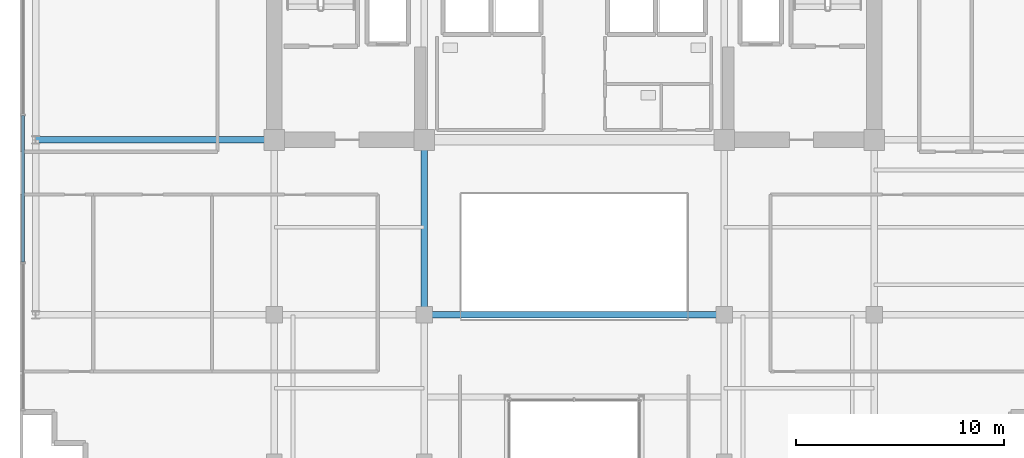
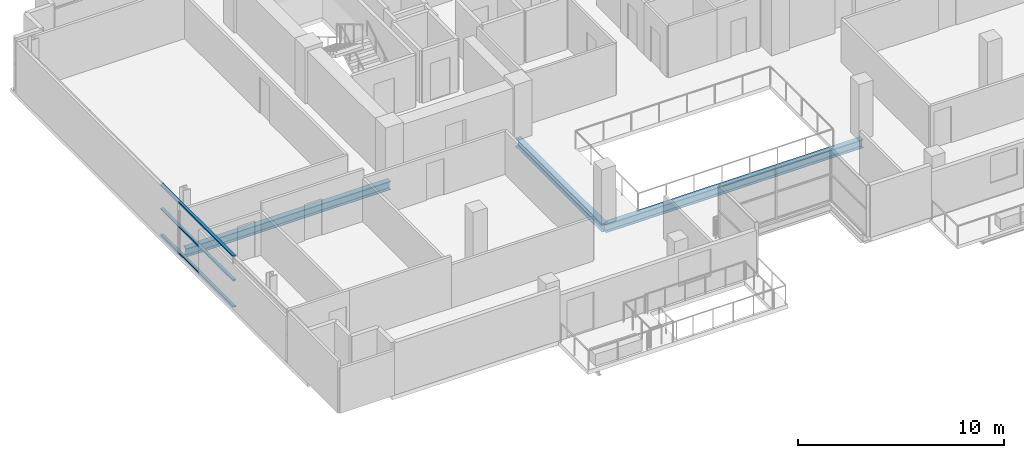
# One storey, part 8 of 23: 3 beams, 3 members, 1 element without a shape of its own.
"""IFC4 building model written with IfcOpenShell, lengths in metres."""

from ifc_helpers import new_model, si_unit, direction, frame, origin, origin_2d, place, context, subcontext, project, spatial, hollow_rectangle, i_section, extrude, source, transform, mapped, material, layer, layer_set, material_profile, profile_set, type_object, element, aggregate, save


model = new_model("IFC4")

# Units and contexts
model_context = context("Model", 3, precision=1e-05, world=origin(), true_north=direction((0.0, 1.0)))
body_context = subcontext(model_context, "Body", "Model", "MODEL_VIEW")
ifc_project = project(units=[si_unit("LENGTHUNIT", "METRE"), si_unit("AREAUNIT", "SQUARE_METRE"), si_unit("VOLUMEUNIT", "CUBIC_METRE"), si_unit("PLANEANGLEUNIT", "RADIAN"), si_unit("MASSUNIT", "GRAM", prefix="KILO")], contexts=[model_context])

# Site, building, storey
site_placement = place(None, origin())
site = spatial("IfcSite", under=ifc_project, at=site_placement, CompositionType="ELEMENT")
building_placement = place(site_placement, origin())
building = spatial("IfcBuilding", under=site, at=building_placement, Name="Zarnakvel Exchange Tower", CompositionType="ELEMENT")
storey_placement = place(building_placement, frame((0.0, 0.0, 149.5)))
storey = spatial("IfcBuildingStorey", under=building, at=storey_placement, Name="L41", CompositionType="ELEMENT", Elevation=149.5)

# Beams
ifc_material_1 = material(Name="Steel S355", Category="steel")
ifc_material_profile_1 = material_profile(ifc_material_1, i_section(OverallWidth=0.300048828125, OverallDepth=0.5, WebThickness=0.014404296875, FlangeThickness=0.028076171875, FilletRadius=0.027099609375, at=origin_2d()))
ifc_profile_set_1 = profile_set([ifc_material_profile_1], Name="Steel S355")
beam_type = type_object("IfcBeamType", Name="G-06", PredefinedType="BEAM", material=ifc_profile_set_1)
beam_1_placement = place(storey_placement, frame((-7.199951171875, -9.60009765625, -0.47509765625), z_axis=(1.0, 0.0, 0.0), x_axis=(0.0, 1.0, 0.0)))
element("IfcBeam", 1, at=beam_1_placement, inside=storey, type_object=beam_type, Name="L41 Tower E-W Frame Beam", PredefinedType="BEAM", context=body_context, shape_type="SweptSolid", body=[
    extrude(i_section(OverallWidth=0.300048828125, OverallDepth=0.5, WebThickness=0.014404296875, FlangeThickness=0.028076171875, FilletRadius=0.027099609375, at=origin_2d()), origin(), (0.0, 0.0, 1.0), 14.39990234375),
])
beam_2_placement = place(storey_placement, frame((-25.85009765625, -1.199951171875, -0.47509765625), z_axis=(1.0, 0.0, 0.0), x_axis=(0.0, 1.0, 0.0)))
element("IfcBeam", 2, at=beam_2_placement, inside=storey, type_object=beam_type, Name="L41 Tower E-W Frame Beam", PredefinedType="BEAM", context=body_context, shape_type="SweptSolid", body=[
    extrude(i_section(OverallWidth=0.300048828125, OverallDepth=0.5, WebThickness=0.014404296875, FlangeThickness=0.028076171875, FilletRadius=0.027099609375, at=origin_2d()), origin(), (0.0, 0.0, 1.0), 11.4501953125),
])
beam_3_placement = place(storey_placement, frame((-7.199951171875, -9.60009765625, -0.47509765625), z_axis=(0.0, 1.0, 0.0), x_axis=(-1.0, 0.0, 0.0)))
element("IfcBeam", 3, at=beam_3_placement, inside=storey, type_object=beam_type, Name="L41 Tower N-S Frame Beam", PredefinedType="BEAM", context=body_context, shape_type="SweptSolid", body=[
    extrude(i_section(OverallWidth=0.300048828125, OverallDepth=0.5, WebThickness=0.014404296875, FlangeThickness=0.028076171875, FilletRadius=0.027099609375, at=origin_2d()), origin(), (0.0, 0.0, 1.0), 8.400146484375),
])

# Curtain wall, members
ifc_material_2 = material(Name="Architectural Bronze Anodised Aluminium", Category="aluminium")
ifc_layer = layer(ifc_material_2, 0.199951171875)
ifc_layer_set = layer_set([ifc_layer], Name="Architectural Bronze Anodised Aluminium")
curtain_wall_type = type_object("IfcCurtainWallType", Name="CW-04", PredefinedType="NOTDEFINED", material=ifc_layer_set)
curtain_wall_placement = place(storey_placement, origin())
curtain_wall = element("IfcCurtainWall", 4, at=curtain_wall_placement, inside=storey, type_object=curtain_wall_type, Name="L41 Curtain Wall CW-L41-W1 (CW-04)", PredefinedType="NOTDEFINED")
ifc_material_profile_2 = material_profile(ifc_material_2, hollow_rectangle(XDim=0.159912109375, YDim=0.074951171875, WallThickness=0.00390625, at=origin_2d()))
ifc_profile_set_2 = profile_set([ifc_material_profile_2], Name="Architectural Bronze Anodised Aluminium")
member_type = type_object("IfcMemberType", Name="CWT-04", PredefinedType="USERDEFINED", material=ifc_profile_set_2)
shared_shape = source(origin(), body_context, "Body", "SweptSolid", [
    extrude(hollow_rectangle(XDim=0.159912109375, YDim=0.074951171875, WallThickness=0.00390625, at=origin_2d()), origin(), (0.0, 0.0, 1.0), 7.02490234375),
])
member_1_placement = place(storey_placement, frame((-26.4599609375, -7.0625, 0.03759765625), z_axis=(0.0, 1.0, 0.0), x_axis=(-1.0, 0.0, 0.0)))
member_1 = element("IfcMember", 5, at=member_1_placement, type_object=member_type, Name="CW-04 transom 2.1", ObjectType="TRANSOM", PredefinedType="USERDEFINED", context=body_context, shape_type="MappedRepresentation", body=[
    mapped(shared_shape, transform((0.0, 0.0, 0.0), x_axis=(1.0, 0.0, 0.0), y_axis=(0.0, 1.0, 0.0), z_axis=(0.0, 0.0, 1.0), scale=1.0)),
])
member_2_placement = place(storey_placement, frame((-26.4599609375, -7.0625, 1.588623046875), z_axis=(0.0, 1.0, 0.0), x_axis=(-1.0, 0.0, 0.0)))
member_2 = element("IfcMember", 6, at=member_2_placement, type_object=member_type, Name="CW-04 transom 2.2", ObjectType="TRANSOM", PredefinedType="USERDEFINED", context=body_context, shape_type="MappedRepresentation", body=[
    mapped(shared_shape, transform((0.0, 0.0, 0.0), x_axis=(1.0, 0.0, 0.0), y_axis=(0.0, 1.0, 0.0), z_axis=(0.0, 0.0, 1.0), scale=1.0)),
])
member_3_placement = place(storey_placement, frame((-26.4599609375, -7.0625, 3.017578125), z_axis=(0.0, 1.0, 0.0), x_axis=(-1.0, 0.0, 0.0)))
member_3 = element("IfcMember", 7, at=member_3_placement, type_object=member_type, Name="CW-04 transom 2.3", ObjectType="TRANSOM", PredefinedType="USERDEFINED", context=body_context, shape_type="MappedRepresentation", body=[
    mapped(shared_shape, transform((0.0, 0.0, 0.0), x_axis=(1.0, 0.0, 0.0), y_axis=(0.0, 1.0, 0.0), z_axis=(0.0, 0.0, 1.0), scale=1.0)),
])
aggregate(curtain_wall, [member_1, member_2, member_3])

save(model, "model.ifc")
